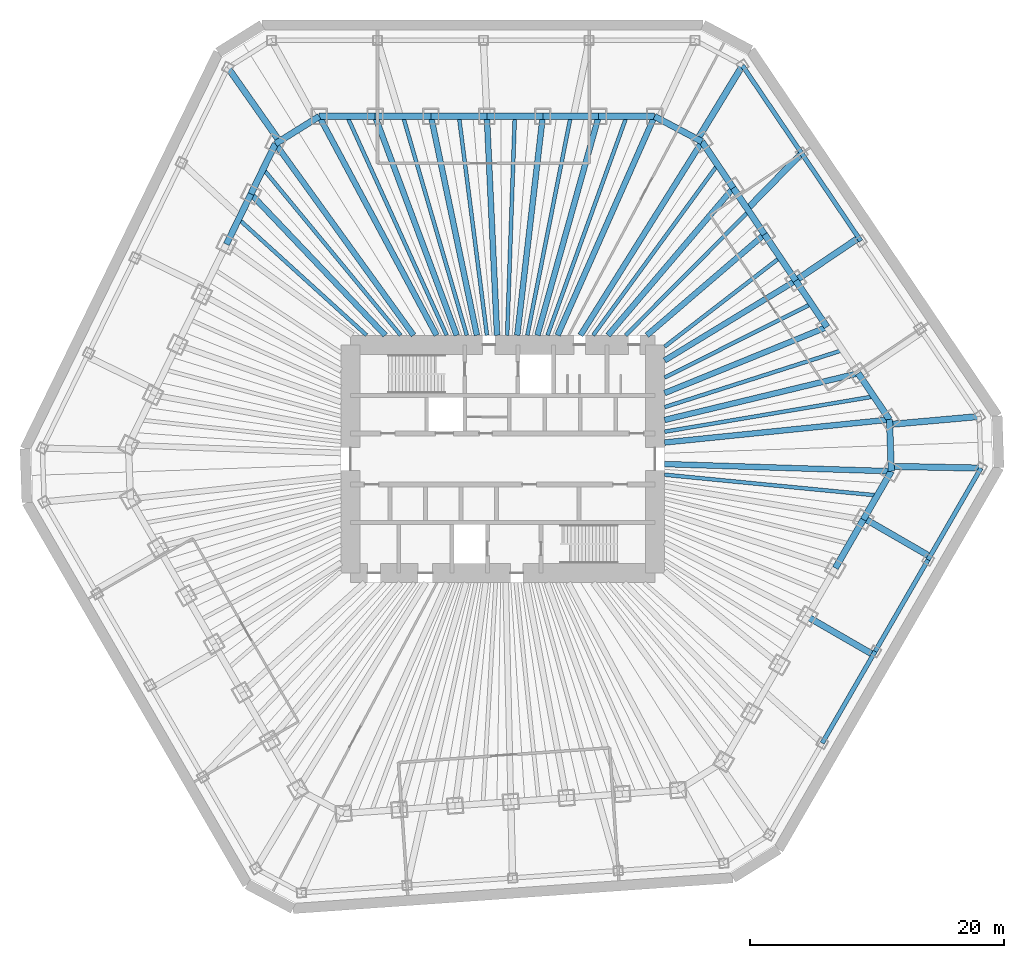
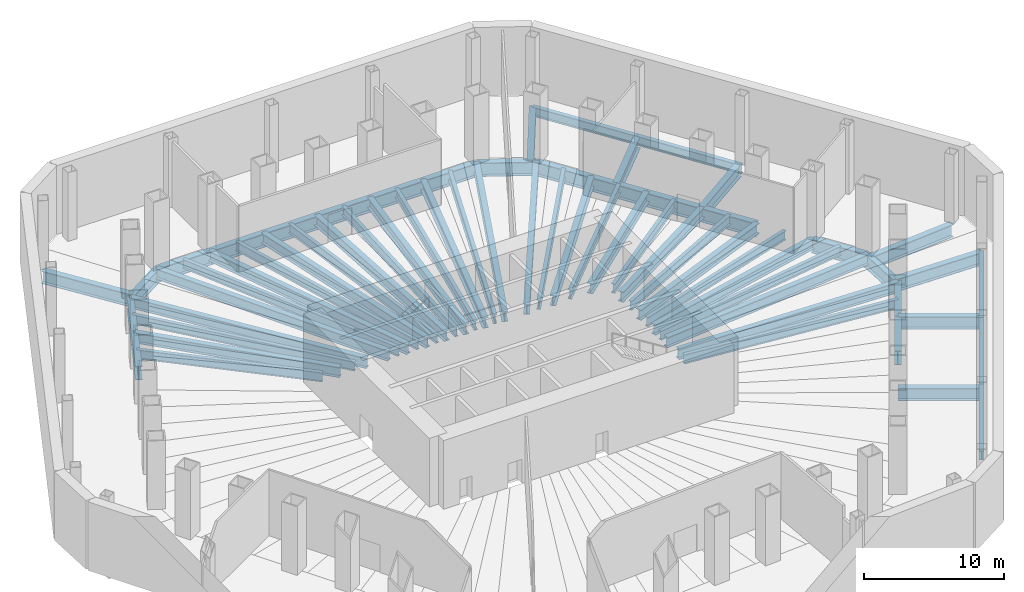
# One storey, part 3 of 8: 63 beams.
"""IFC4 building model written with IfcOpenShell, lengths in metres."""

from ifc_helpers import new_model, si_unit, direction, frame, origin, origin_2d, place, context, subcontext, project, spatial, i_section, extrude, material, material_profile, profile_set, type_object, element, save


model = new_model("IFC4")

# Units and contexts
model_context = context("Model", 3, precision=1e-05, world=origin(), true_north=direction((0.0, 1.0)))
body_context = subcontext(model_context, "Body", "Model", "MODEL_VIEW")
ifc_project = project(units=[si_unit("LENGTHUNIT", "METRE"), si_unit("AREAUNIT", "SQUARE_METRE"), si_unit("VOLUMEUNIT", "CUBIC_METRE"), si_unit("PLANEANGLEUNIT", "RADIAN"), si_unit("MASSUNIT", "GRAM", prefix="KILO")], contexts=[model_context])

# Site, building, storey
site_placement = place(None, origin())
site = spatial("IfcSite", under=ifc_project, at=site_placement, CompositionType="ELEMENT")
building_placement = place(site_placement, origin())
building = spatial("IfcBuilding", under=site, at=building_placement, Name="Qingtian Harvest Tower", CompositionType="ELEMENT")
storey_placement = place(building_placement, frame((0.0, 0.0, -6.0)))
storey = spatial("IfcBuildingStorey", under=building, at=storey_placement, Name="B1", CompositionType="ELEMENT", Elevation=-6.0)

# Beams
ifc_material_1 = material(Name="Steel SM570MC", Category="steel")
ifc_material_profile_1 = material_profile(ifc_material_1, i_section(OverallWidth=0.449951171875, OverallDepth=0.89990234375, WebThickness=0.02197265625, FlangeThickness=0.044921875, at=origin_2d()), Name="H900x450x22x45")
ifc_profile_set_1 = profile_set([ifc_material_profile_1], Name="Steel SM570MC")
beam_type_1 = type_object("IfcBeamType", Name="Floor beam FB5 H900x450x22x45", PredefinedType="BEAM", material=ifc_profile_set_1)
beam_1_placement = place(storey_placement, frame((-14.471435546875, 27.0, -0.699951171875), z_axis=(0.472401408299, -0.881383520062, 0.0), x_axis=(0.881383520062, 0.472401408299, 0.0)))
element("IfcBeam", 1, at=beam_1_placement, inside=storey, type_object=beam_type_1, Name="Floor beam FB5 N0", PredefinedType="BEAM", context=body_context, shape_type="SweptSolid", body=[
    extrude(i_section(OverallWidth=0.449951171875, OverallDepth=0.89990234375, WebThickness=0.02197265625, FlangeThickness=0.044921875, at=origin_2d()), origin(), (0.0, 0.0, 1.0), 19.571533203125),
])
beam_2_placement = place(storey_placement, frame((-10.06689453125, 27.0, -0.699951171875), z_axis=(0.349355612113, -0.936990211414, 0.0), x_axis=(0.936990211414, 0.349355612113, 0.0)))
element("IfcBeam", 2, at=beam_2_placement, inside=storey, type_object=beam_type_1, Name="Floor beam FB5 N1", PredefinedType="BEAM", context=body_context, shape_type="SweptSolid", body=[
    extrude(i_section(OverallWidth=0.449951171875, OverallDepth=0.89990234375, WebThickness=0.02197265625, FlangeThickness=0.044921875, at=origin_2d()), origin(), (0.0, 0.0, 1.0), 18.409912109375),
])
beam_3_placement = place(storey_placement, frame((-5.662353515625, 27.0, -0.699951171875), z_axis=(0.205255077335, -0.978708512903, 0.0), x_axis=(0.978708512903, 0.205255077335, 0.0)))
element("IfcBeam", 3, at=beam_3_placement, inside=storey, type_object=beam_type_1, Name="Floor beam FB5 N2", PredefinedType="BEAM", context=body_context, shape_type="SweptSolid", body=[
    extrude(i_section(OverallWidth=0.449951171875, OverallDepth=0.89990234375, WebThickness=0.02197265625, FlangeThickness=0.044921875, at=origin_2d()), origin(), (0.0, 0.0, 1.0), 17.625244140625),
])
beam_4_placement = place(storey_placement, frame((-1.257568359375, 27.0, -0.699951171875), z_axis=(0.046527342366, -0.99891701678, 0.0), x_axis=(0.99891701678, 0.046527342366, 0.0)))
element("IfcBeam", 4, at=beam_4_placement, inside=storey, type_object=beam_type_1, Name="Floor beam FB5 N3", PredefinedType="BEAM", context=body_context, shape_type="SweptSolid", body=[
    extrude(i_section(OverallWidth=0.449951171875, OverallDepth=0.89990234375, WebThickness=0.02197265625, FlangeThickness=0.044921875, at=origin_2d()), origin(), (0.0, 0.0, 1.0), 17.268798828125),
])
beam_5_placement = place(storey_placement, frame((3.14697265625, 27.0, -0.699951171875), z_axis=(-0.115766971807, -0.993276400726, 0.0), x_axis=(0.993276400726, -0.115766971807, 0.0)))
element("IfcBeam", 5, at=beam_5_placement, inside=storey, type_object=beam_type_1, Name="Floor beam FB5 N4", PredefinedType="BEAM", context=body_context, shape_type="SweptSolid", body=[
    extrude(i_section(OverallWidth=0.449951171875, OverallDepth=0.89990234375, WebThickness=0.02197265625, FlangeThickness=0.044921875, at=origin_2d()), origin(), (0.0, 0.0, 1.0), 17.36669921875),
])
beam_6_placement = place(storey_placement, frame((7.551513671875, 27.0, -0.699951171875), z_axis=(-0.269343258019, -0.963044240604, 0.0), x_axis=(0.963044240604, -0.269343258019, 0.0)))
element("IfcBeam", 6, at=beam_6_placement, inside=storey, type_object=beam_type_1, Name="Floor beam FB5 N5", PredefinedType="BEAM", context=body_context, shape_type="SweptSolid", body=[
    extrude(i_section(OverallWidth=0.449951171875, OverallDepth=0.89990234375, WebThickness=0.02197265625, FlangeThickness=0.044921875, at=origin_2d()), origin(), (0.0, 0.0, 1.0), 17.911865234375),
])
beam_7_placement = place(storey_placement, frame((11.9560546875, 27.0, -0.699951171875), z_axis=(-0.404898955654, -0.914361436036, 0.0), x_axis=(0.914361436036, -0.404898955654, 0.0)))
element("IfcBeam", 7, at=beam_7_placement, inside=storey, type_object=beam_type_1, Name="Floor beam FB5 N6", PredefinedType="BEAM", context=body_context, shape_type="SweptSolid", body=[
    extrude(i_section(OverallWidth=0.449951171875, OverallDepth=0.89990234375, WebThickness=0.02197265625, FlangeThickness=0.044921875, at=origin_2d()), origin(), (0.0, 0.0, 1.0), 18.86572265625),
])
beam_8_placement = place(storey_placement, frame((15.6982421875, 25.01025390625, -0.699951171875), z_axis=(-0.531622796942, -0.846981228701, 0.0), x_axis=(0.846981228701, -0.531622796942, 0.0)))
element("IfcBeam", 8, at=beam_8_placement, inside=storey, type_object=beam_type_1, Name="Floor beam FB5 NE0", PredefinedType="BEAM", context=body_context, shape_type="SweptSolid", body=[
    extrude(i_section(OverallWidth=0.449951171875, OverallDepth=0.89990234375, WebThickness=0.02197265625, FlangeThickness=0.044921875, at=origin_2d()), origin(), (0.0, 0.0, 1.0), 18.017333984375),
])
beam_9_placement = place(storey_placement, frame((18.1611328125, 21.358642578125, -0.699951171875), z_axis=(-0.647781887327, -0.761825850474, 0.0), x_axis=(0.761825850474, -0.647781887327, 0.0)))
element("IfcBeam", 9, at=beam_9_placement, inside=storey, type_object=beam_type_1, Name="Floor beam FB5 NE1", PredefinedType="BEAM", context=body_context, shape_type="SweptSolid", body=[
    extrude(i_section(OverallWidth=0.449951171875, OverallDepth=0.89990234375, WebThickness=0.02197265625, FlangeThickness=0.044921875, at=origin_2d()), origin(), (0.0, 0.0, 1.0), 15.238037109375),
])
beam_10_placement = place(storey_placement, frame((20.624267578125, 17.70703125, -0.699951171875), z_axis=(-0.75873153072, -0.651403457384, 0.0), x_axis=(0.651403457384, -0.75873153072, 0.0)))
element("IfcBeam", 10, at=beam_10_placement, inside=storey, type_object=beam_type_1, Name="Floor beam FB5 NE2", PredefinedType="BEAM", context=body_context, shape_type="SweptSolid", body=[
    extrude(i_section(OverallWidth=0.449951171875, OverallDepth=0.89990234375, WebThickness=0.02197265625, FlangeThickness=0.044921875, at=origin_2d()), origin(), (0.0, 0.0, 1.0), 12.21533203125),
])
beam_11_placement = place(storey_placement, frame((23.08740234375, 14.0556640625, -0.699951171875), z_axis=(-0.854157261259, -0.520014781558, 0.0), x_axis=(0.520014781558, -0.854157261259, 0.0)))
element("IfcBeam", 11, at=beam_11_placement, inside=storey, type_object=beam_type_1, Name="Floor beam FB5 NE3", PredefinedType="BEAM", context=body_context, shape_type="SweptSolid", body=[
    extrude(i_section(OverallWidth=0.449951171875, OverallDepth=0.89990234375, WebThickness=0.02197265625, FlangeThickness=0.044921875, at=origin_2d()), origin(), (0.0, 0.0, 1.0), 12.1025390625),
])
beam_12_placement = place(storey_placement, frame((25.55029296875, 10.404052734375, -0.699951171875), z_axis=(-0.926156354735, -0.37713977062, 0.0), x_axis=(0.37713977062, -0.926156354735, 0.0)))
element("IfcBeam", 12, at=beam_12_placement, inside=storey, type_object=beam_type_1, Name="Floor beam FB5 NE4", PredefinedType="BEAM", context=body_context, shape_type="SweptSolid", body=[
    extrude(i_section(OverallWidth=0.449951171875, OverallDepth=0.89990234375, WebThickness=0.02197265625, FlangeThickness=0.044921875, at=origin_2d()), origin(), (0.0, 0.0, 1.0), 13.82080078125),
])
beam_13_placement = place(storey_placement, frame((28.013427734375, 6.75244140625, -0.699951171875), z_axis=(-0.972155908389, -0.234334994792, 0.0), x_axis=(0.234334994792, -0.972155908389, 0.0)))
element("IfcBeam", 13, at=beam_13_placement, inside=storey, type_object=beam_type_1, Name="Floor beam FB5 NE5", PredefinedType="BEAM", context=body_context, shape_type="SweptSolid", body=[
    extrude(i_section(OverallWidth=0.449951171875, OverallDepth=0.89990234375, WebThickness=0.02197265625, FlangeThickness=0.044921875, at=origin_2d()), origin(), (0.0, 0.0, 1.0), 15.70068359375),
])
beam_14_placement = place(storey_placement, frame((30.476318359375, 3.100830078125, -0.699951171875), z_axis=(-0.994864371567, -0.101217005423, 0.0), x_axis=(0.101217005423, -0.994864371567, 0.0)))
element("IfcBeam", 14, at=beam_14_placement, inside=storey, type_object=beam_type_1, Name="Floor beam FB5 NE6", PredefinedType="BEAM", context=body_context, shape_type="SweptSolid", body=[
    extrude(i_section(OverallWidth=0.449951171875, OverallDepth=0.89990234375, WebThickness=0.02197265625, FlangeThickness=0.044921875, at=origin_2d()), origin(), (0.0, 0.0, 1.0), 17.81787109375),
])
beam_15_placement = place(storey_placement, frame((30.618408203125, -0.96728515625, -0.699951171875), z_axis=(-0.999501426546, 0.031573696842, 0.0), x_axis=(-0.031573696842, -0.999501426546, 0.0)))
element("IfcBeam", 15, at=beam_15_placement, inside=storey, type_object=beam_type_1, Name="Floor beam FB5 SE0", PredefinedType="BEAM", context=body_context, shape_type="SweptSolid", body=[
    extrude(i_section(OverallWidth=0.449951171875, OverallDepth=0.89990234375, WebThickness=0.02197265625, FlangeThickness=0.044921875, at=origin_2d()), origin(), (0.0, 0.0, 1.0), 17.87744140625),
])
beam_16_placement = place(storey_placement, frame((-19.8544921875, 20.884033203125, -0.699951171875), z_axis=(0.689018801535, -0.724743465739, 0.0), x_axis=(0.724743465739, 0.689018801535, 0.0)))
element("IfcBeam", 16, at=beam_16_placement, inside=storey, type_object=beam_type_1, Name="Floor beam FB5 NW5", PredefinedType="BEAM", context=body_context, shape_type="SweptSolid", body=[
    extrude(i_section(OverallWidth=0.449951171875, OverallDepth=0.89990234375, WebThickness=0.02197265625, FlangeThickness=0.044921875, at=origin_2d()), origin(), (0.0, 0.0, 1.0), 15.36279296875),
])
beam_17_placement = place(storey_placement, frame((-17.923583984375, 24.8427734375, -0.699951171875), z_axis=(0.585095822328, -0.810964166098, 0.0), x_axis=(0.810964166098, 0.585095822328, 0.0)))
element("IfcBeam", 17, at=beam_17_placement, inside=storey, type_object=beam_type_1, Name="Floor beam FB5 NW6", PredefinedType="BEAM", context=body_context, shape_type="SweptSolid", body=[
    extrude(i_section(OverallWidth=0.449951171875, OverallDepth=0.89990234375, WebThickness=0.02197265625, FlangeThickness=0.044921875, at=origin_2d()), origin(), (0.0, 0.0, 1.0), 18.61083984375),
])
ifc_material_2 = material(Name="Steel SM570MC", Category="steel")
ifc_material_profile_2 = material_profile(ifc_material_2, i_section(OverallWidth=0.5, OverallDepth=1.10009765625, WebThickness=0.02490234375, FlangeThickness=0.050048828125, at=origin_2d()), Name="H1100x500x25x50")
ifc_profile_set_2 = profile_set([ifc_material_profile_2], Name="Steel SM570MC")
beam_type_2 = type_object("IfcBeamType", Name="Floor beam FB6 H1100x500x25x50", PredefinedType="BEAM", material=ifc_profile_set_2)
beam_18_placement = place(storey_placement, frame((18.888427734375, 31.01025390625, -0.800048828125), z_axis=(-0.52020179562, -0.854043378192, 0.0), x_axis=(0.854043378192, -0.52020179562, 0.0)))
element("IfcBeam", 18, at=beam_18_placement, inside=storey, type_object=beam_type_2, Name="Podium floor beam FB6 NE0", PredefinedType="BEAM", context=body_context, shape_type="SweptSolid", body=[
    extrude(i_section(OverallWidth=0.5, OverallDepth=1.10009765625, WebThickness=0.02490234375, FlangeThickness=0.050048828125, at=origin_2d()), origin(), (0.0, 0.0, 1.0), 6.806884765625),
])
beam_19_placement = place(storey_placement, frame((23.55322265625, 24.0947265625, -0.800048828125), z_axis=(-0.699031153274, -0.715091215686, 0.0), x_axis=(0.715091215686, -0.699031153274, 0.0)))
element("IfcBeam", 19, at=beam_19_placement, inside=storey, type_object=beam_type_2, Name="Podium floor beam FB6 NE1", PredefinedType="BEAM", context=body_context, shape_type="SweptSolid", body=[
    extrude(i_section(OverallWidth=0.5, OverallDepth=1.10009765625, WebThickness=0.02490234375, FlangeThickness=0.050048828125, at=origin_2d()), origin(), (0.0, 0.0, 1.0), 6.126220703125),
])
beam_20_placement = place(storey_placement, frame((28.050048828125, 17.427734375, -0.800048828125), z_axis=(-0.829026943096, -0.559208661969, 0.0), x_axis=(0.559208661969, -0.829026943096, 0.0)))
element("IfcBeam", 20, at=beam_20_placement, inside=storey, type_object=beam_type_2, Name="Podium floor beam FB6 NE2", PredefinedType="BEAM", context=body_context, shape_type="SweptSolid", body=[
    extrude(i_section(OverallWidth=0.5, OverallDepth=1.10009765625, WebThickness=0.02490234375, FlangeThickness=0.050048828125, at=origin_2d()), origin(), (0.0, 0.0, 1.0), 6.0),
])
for number, where, z_axis, x_axis, name in (
    (21, (37.547119140625, 3.34765625, -0.800048828125), (-0.996049850269, -0.088795809463, 0.0), (0.088795809463, -0.996049850269, 0.0), "Podium floor beam FB6 NE4"),
    (22, (37.689208984375, -0.720458984375, -0.800048828125), (-0.999817134486, 0.019123221203, 0.0), (-0.019123221203, -0.999817134486, 0.0), "Podium floor beam FB6 SE0"),
):
    element("IfcBeam", number, at=place(storey_placement, frame(where, z_axis=z_axis, x_axis=x_axis)), inside=storey, type_object=beam_type_2, Name=name, PredefinedType="BEAM", context=body_context, shape_type="SweptSolid", body=[
        extrude(i_section(OverallWidth=0.5, OverallDepth=1.10009765625, WebThickness=0.02490234375, FlangeThickness=0.050048828125, at=origin_2d()), origin(), (0.0, 0.0, 1.0), 7.08544921875),
    ])
for number, where, z_axis, x_axis, name in (
    (23, (33.668212890625, -7.684814453125, -0.800048828125), (-0.866020924479, 0.500007758305, 0.0), (-0.500007758305, -0.866020924479, 0.0), "Podium floor beam FB6 SE1"),
    (24, (29.197509765625, -15.4287109375, -0.800048828125), (-0.866031096941, 0.499990139034, 0.0), (-0.499990139034, -0.866031096941, 0.0), "Podium floor beam FB6 SE2"),
):
    element("IfcBeam", number, at=place(storey_placement, frame(where, z_axis=z_axis, x_axis=x_axis)), inside=storey, type_object=beam_type_2, Name=name, PredefinedType="BEAM", context=body_context, shape_type="SweptSolid", body=[
        extrude(i_section(OverallWidth=0.5, OverallDepth=1.10009765625, WebThickness=0.02490234375, FlangeThickness=0.050048828125, at=origin_2d()), origin(), (0.0, 0.0, 1.0), 6.0),
    ])
beam_21_placement = place(storey_placement, frame((-21.6728515625, 30.8427734375, -0.800048828125), z_axis=(0.574952997863, -0.818186439785, 0.0), x_axis=(0.818186439785, 0.574952997863, 0.0)))
element("IfcBeam", 25, at=beam_21_placement, inside=storey, type_object=beam_type_2, Name="Podium floor beam FB6 NW4", PredefinedType="BEAM", context=body_context, shape_type="SweptSolid", body=[
    extrude(i_section(OverallWidth=0.5, OverallDepth=1.10009765625, WebThickness=0.02490234375, FlangeThickness=0.050048828125, at=origin_2d()), origin(), (0.0, 0.0, 1.0), 7.08544921875),
])
ifc_material_3 = material(Name="Steel SN490B", Category="steel")
ifc_material_profile_3 = material_profile(ifc_material_3, i_section(OverallWidth=0.300048828125, OverallDepth=0.800048828125, WebThickness=0.013916015625, FlangeThickness=0.02587890625, at=origin_2d()), Name="H800x300x14x26")
ifc_profile_set_3 = profile_set([ifc_material_profile_3], Name="Steel SN490B")
beam_type_3 = type_object("IfcBeamType", Name="Floor joist J1 H800x300x14x26", PredefinedType="JOIST", material=ifc_profile_set_3)
beam_22_placement = place(storey_placement, frame((-12.269287109375, 27.0, -0.64990234375), z_axis=(0.413713629402, -0.910407069858, 0.0), x_axis=(0.910407069858, 0.413713629402, 0.0)))
element("IfcBeam", 26, at=beam_22_placement, inside=storey, type_object=beam_type_3, Name="Floor joist J1 N0", PredefinedType="JOIST", context=body_context, shape_type="SweptSolid", body=[
    extrude(i_section(OverallWidth=0.300048828125, OverallDepth=0.800048828125, WebThickness=0.013916015625, FlangeThickness=0.02587890625, at=origin_2d()), origin(), (0.0, 0.0, 1.0), 18.947509765625),
])
beam_23_placement = place(storey_placement, frame((-7.864501953125, 27.0, -0.64990234375), z_axis=(0.279649335299, -0.960102207719, 0.0), x_axis=(0.960102207719, 0.279649335299, 0.0)))
element("IfcBeam", 27, at=beam_23_placement, inside=storey, type_object=beam_type_3, Name="Floor joist J1 N1", PredefinedType="JOIST", context=body_context, shape_type="SweptSolid", body=[
    extrude(i_section(OverallWidth=0.300048828125, OverallDepth=0.800048828125, WebThickness=0.013916015625, FlangeThickness=0.02587890625, at=origin_2d()), origin(), (0.0, 0.0, 1.0), 17.966796875),
])
beam_24_placement = place(storey_placement, frame((-3.4599609375, 27.0, -0.64990234375), z_axis=(0.127102696173, -0.991889562716, 0.0), x_axis=(0.991889562716, 0.127102696173, 0.0)))
element("IfcBeam", 28, at=beam_24_placement, inside=storey, type_object=beam_type_3, Name="Floor joist J1 N2", PredefinedType="JOIST", context=body_context, shape_type="SweptSolid", body=[
    extrude(i_section(OverallWidth=0.300048828125, OverallDepth=0.800048828125, WebThickness=0.013916015625, FlangeThickness=0.02587890625, at=origin_2d()), origin(), (0.0, 0.0, 1.0), 17.39111328125),
])
beam_25_placement = place(storey_placement, frame((0.944580078125, 27.0, -0.64990234375), z_axis=(-0.034965020137, -0.99938853674, 0.0), x_axis=(0.99938853674, -0.034965020137, 0.0)))
element("IfcBeam", 29, at=beam_25_placement, inside=storey, type_object=beam_type_3, Name="Floor joist J1 N3", PredefinedType="JOIST", context=body_context, shape_type="SweptSolid", body=[
    extrude(i_section(OverallWidth=0.300048828125, OverallDepth=0.800048828125, WebThickness=0.013916015625, FlangeThickness=0.02587890625, at=origin_2d()), origin(), (0.0, 0.0, 1.0), 17.260498046875),
])
beam_26_placement = place(storey_placement, frame((5.349365234375, 27.0, -0.64990234375), z_axis=(-0.19435104803, -0.980932041545, 0.0), x_axis=(0.980932041545, -0.19435104803, 0.0)))
element("IfcBeam", 30, at=beam_26_placement, inside=storey, type_object=beam_type_3, Name="Floor joist J1 N4", PredefinedType="JOIST", context=body_context, shape_type="SweptSolid", body=[
    extrude(i_section(OverallWidth=0.300048828125, OverallDepth=0.800048828125, WebThickness=0.013916015625, FlangeThickness=0.02587890625, at=origin_2d()), origin(), (0.0, 0.0, 1.0), 17.585205078125),
])
beam_27_placement = place(storey_placement, frame((9.75390625, 27.0, -0.64990234375), z_axis=(-0.339766141765, -0.940509951521, 0.0), x_axis=(0.940509951521, -0.339766141765, 0.0)))
element("IfcBeam", 31, at=beam_27_placement, inside=storey, type_object=beam_type_3, Name="Floor joist J1 N5", PredefinedType="JOIST", context=body_context, shape_type="SweptSolid", body=[
    extrude(i_section(OverallWidth=0.300048828125, OverallDepth=0.800048828125, WebThickness=0.013916015625, FlangeThickness=0.02587890625, at=origin_2d()), origin(), (0.0, 0.0, 1.0), 18.341064453125),
])
beam_28_placement = place(storey_placement, frame((16.9296875, 23.1845703125, -0.64990234375), z_axis=(-0.589722175422, -0.80760618857, 0.0), x_axis=(0.80760618857, -0.589722175422, 0.0)))
element("IfcBeam", 32, at=beam_28_placement, inside=storey, type_object=beam_type_3, Name="Floor joist J1 NE0", PredefinedType="JOIST", context=body_context, shape_type="SweptSolid", body=[
    extrude(i_section(OverallWidth=0.300048828125, OverallDepth=0.800048828125, WebThickness=0.013916015625, FlangeThickness=0.02587890625, at=origin_2d()), origin(), (0.0, 0.0, 1.0), 16.635009765625),
])
beam_29_placement = place(storey_placement, frame((19.392822265625, 19.532958984375, -0.64990234375), z_axis=(-0.704560879039, -0.709643549768, 0.0), x_axis=(0.709643549768, -0.704560879039, 0.0)))
element("IfcBeam", 33, at=beam_29_placement, inside=storey, type_object=beam_type_3, Name="Floor joist J1 NE1", PredefinedType="JOIST", context=body_context, shape_type="SweptSolid", body=[
    extrude(i_section(OverallWidth=0.300048828125, OverallDepth=0.800048828125, WebThickness=0.013916015625, FlangeThickness=0.02587890625, at=origin_2d()), origin(), (0.0, 0.0, 1.0), 13.78564453125),
])
beam_30_placement = place(storey_placement, frame((21.855712890625, 15.88134765625, -0.64990234375), z_axis=(-0.79149450594, -0.611176281499, 0.0), x_axis=(0.611176281499, -0.79149450594, 0.0)))
element("IfcBeam", 34, at=beam_30_placement, inside=storey, type_object=beam_type_3, Name="Floor joist J1 NE2", PredefinedType="JOIST", context=body_context, shape_type="SweptSolid", body=[
    extrude(i_section(OverallWidth=0.300048828125, OverallDepth=0.800048828125, WebThickness=0.013916015625, FlangeThickness=0.02587890625, at=origin_2d()), origin(), (0.0, 0.0, 1.0), 11.50439453125),
])
beam_31_placement = place(storey_placement, frame((24.31884765625, 12.229736328125, -0.64990234375), z_axis=(-0.893391632689, -0.449278744924, 0.0), x_axis=(0.449278744924, -0.893391632689, 0.0)))
element("IfcBeam", 35, at=beam_31_placement, inside=storey, type_object=beam_type_3, Name="Floor joist J1 NE3", PredefinedType="JOIST", context=body_context, shape_type="SweptSolid", body=[
    extrude(i_section(OverallWidth=0.300048828125, OverallDepth=0.800048828125, WebThickness=0.013916015625, FlangeThickness=0.02587890625, at=origin_2d()), origin(), (0.0, 0.0, 1.0), 12.949462890625),
])
beam_32_placement = place(storey_placement, frame((26.78173828125, 8.578125, -0.64990234375), z_axis=(-0.952340804978, -0.305036048976, 0.0), x_axis=(0.305036048976, -0.952340804978, 0.0)))
element("IfcBeam", 36, at=beam_32_placement, inside=storey, type_object=beam_type_3, Name="Floor joist J1 NE4", PredefinedType="JOIST", context=body_context, shape_type="SweptSolid", body=[
    extrude(i_section(OverallWidth=0.300048828125, OverallDepth=0.800048828125, WebThickness=0.013916015625, FlangeThickness=0.02587890625, at=origin_2d()), origin(), (0.0, 0.0, 1.0), 14.73388671875),
])
beam_33_placement = place(storey_placement, frame((29.244873046875, 4.926513671875, -0.64990234375), z_axis=(-0.986107238024, -0.166109948877, 0.0), x_axis=(0.166109948877, -0.986107238024, 0.0)))
element("IfcBeam", 37, at=beam_33_placement, inside=storey, type_object=beam_type_3, Name="Floor joist J1 NE5", PredefinedType="JOIST", context=body_context, shape_type="SweptSolid", body=[
    extrude(i_section(OverallWidth=0.300048828125, OverallDepth=0.800048828125, WebThickness=0.013916015625, FlangeThickness=0.02587890625, at=origin_2d()), origin(), (0.0, 0.0, 1.0), 16.727294921875),
])
beam_34_placement = place(storey_placement, frame((29.517333984375, -2.87451171875, -0.64990234375), z_axis=(-0.995291970786, 0.096922097011, 0.0), x_axis=(-0.096922097011, -0.995291970786, 0.0)))
element("IfcBeam", 38, at=beam_34_placement, inside=storey, type_object=beam_type_3, Name="Floor joist J1 SE0", PredefinedType="JOIST", context=body_context, shape_type="SweptSolid", body=[
    extrude(i_section(OverallWidth=0.300048828125, OverallDepth=0.800048828125, WebThickness=0.013916015625, FlangeThickness=0.02587890625, at=origin_2d()), origin(), (0.0, 0.0, 1.0), 16.8466796875),
])
beam_35_placement = place(storey_placement, frame((-20.81982421875, 18.904541015625, -0.64990234375), z_axis=(0.740339866926, -0.672232758381, 0.0), x_axis=(0.672232758381, 0.740339866926, 0.0)))
element("IfcBeam", 39, at=beam_35_placement, inside=storey, type_object=beam_type_3, Name="Floor joist J1 NW4", PredefinedType="JOIST", context=body_context, shape_type="SweptSolid", body=[
    extrude(i_section(OverallWidth=0.300048828125, OverallDepth=0.800048828125, WebThickness=0.013916015625, FlangeThickness=0.02587890625, at=origin_2d()), origin(), (0.0, 0.0, 1.0), 13.6181640625),
])
beam_36_placement = place(storey_placement, frame((-18.888916015625, 22.863525390625, -0.64990234375), z_axis=(0.636910378144, -0.77093785107, 0.0), x_axis=(0.77093785107, 0.636910378144, 0.0)))
element("IfcBeam", 40, at=beam_36_placement, inside=storey, type_object=beam_type_3, Name="Floor joist J1 NW5", PredefinedType="JOIST", context=body_context, shape_type="SweptSolid", body=[
    extrude(i_section(OverallWidth=0.300048828125, OverallDepth=0.800048828125, WebThickness=0.013916015625, FlangeThickness=0.02587890625, at=origin_2d()), origin(), (0.0, 0.0, 1.0), 17.009765625),
])
ifc_material_4 = material(Name="Steel SN490B", Category="steel")
ifc_material_profile_4 = material_profile(ifc_material_4, i_section(OverallWidth=0.35009765625, OverallDepth=0.800048828125, WebThickness=0.01611328125, FlangeThickness=0.028076171875, at=origin_2d()), Name="H800x350x16x28")
ifc_profile_set_4 = profile_set([ifc_material_profile_4], Name="Steel SN490B")
beam_type_4 = type_object("IfcBeamType", Name="Podium beam PB1 H800x350x16x28", PredefinedType="BEAM", material=ifc_profile_set_4)
for number, where, z_axis, x_axis, name in (
    (41, (18.888427734375, 31.01025390625, -0.64990234375), (0.559210439086, -0.829025744363, 0.0), (0.829025744363, 0.559210439086, 0.0), "Podium edge beam PB1 NE0"),
    (42, (23.55322265625, 24.0947265625, -0.64990234375), (0.559176755628, -0.829048464183, 0.0), (0.829048464183, 0.559176755628, 0.0), "Podium edge beam PB1 NE1"),
    (43, (37.689208984375, -0.720458984375, -0.64990234375), (-0.500004511595, -0.866022798998, 0.0), (0.866022798998, -0.500004511595, 0.0), "Podium edge beam PB1 SE0"),
    (44, (33.518310546875, -7.944580078125, -0.64990234375), (-0.500004511595, -0.866022798998, 0.0), (0.866022798998, -0.500004511595, 0.0), "Podium edge beam PB1 SE1"),
):
    element("IfcBeam", number, at=place(storey_placement, frame(where, z_axis=z_axis, x_axis=x_axis)), inside=storey, type_object=beam_type_4, Name=name, PredefinedType="BEAM", context=body_context, shape_type="SweptSolid", body=[
        extrude(i_section(OverallWidth=0.35009765625, OverallDepth=0.800048828125, WebThickness=0.01611328125, FlangeThickness=0.028076171875, at=origin_2d()), origin(), (0.0, 0.0, 1.0), 8.341796875),
    ])
beam_37_placement = place(storey_placement, frame((29.347412109375, -15.168701171875, -0.64990234375), z_axis=(-0.499991838624, -0.866030115706, 0.0), x_axis=(0.866030115706, -0.499991838624, 0.0)))
element("IfcBeam", 45, at=beam_37_placement, inside=storey, type_object=beam_type_4, Name="Podium edge beam PB1 SE2", PredefinedType="BEAM", context=body_context, shape_type="SweptSolid", body=[
    extrude(i_section(OverallWidth=0.35009765625, OverallDepth=0.800048828125, WebThickness=0.01611328125, FlangeThickness=0.028076171875, at=origin_2d()), origin(), (0.0, 0.0, 1.0), 8.342041015625),
])
ifc_material_5 = material(Name="Steel SM570MC", Category="steel")
ifc_material_profile_5 = material_profile(ifc_material_5, i_section(OverallWidth=0.5, OverallDepth=1.199951171875, WebThickness=0.02490234375, FlangeThickness=0.050048828125, at=origin_2d()), Name="H1200x500x25x50")
ifc_profile_set_5 = profile_set([ifc_material_profile_5], Name="Steel SM570MC")
beam_type_5 = type_object("IfcBeamType", Name="Spandrel beam SB1 H1200x500x25x50", PredefinedType="SPANDREL", material=ifc_profile_set_5)
for number, where, z_axis, x_axis, name in (
    (46, (-14.471435546875, 27.0, -0.85009765625), (1.0, 0.0, 0.0), (0.0, 1.0, 0.0), "Spandrel SB1 N0"),
    (47, (-10.06689453125, 27.0, -0.85009765625), (1.0, 0.0, 0.0), (0.0, 1.0, 0.0), "Spandrel SB1 N1"),
):
    element("IfcBeam", number, at=place(storey_placement, frame(where, z_axis=z_axis, x_axis=x_axis)), inside=storey, type_object=beam_type_5, Name=name, PredefinedType="SPANDREL", context=body_context, shape_type="SweptSolid", body=[
        extrude(i_section(OverallWidth=0.5, OverallDepth=1.199951171875, WebThickness=0.02490234375, FlangeThickness=0.050048828125, at=origin_2d()), origin(), (0.0, 0.0, 1.0), 4.404541015625),
    ])
beam_38_placement = place(storey_placement, frame((-5.662353515625, 27.0, -0.85009765625), z_axis=(1.0, 0.0, 0.0), x_axis=(0.0, 1.0, 0.0)))
element("IfcBeam", 48, at=beam_38_placement, inside=storey, type_object=beam_type_5, Name="Spandrel SB1 N2", PredefinedType="SPANDREL", context=body_context, shape_type="SweptSolid", body=[
    extrude(i_section(OverallWidth=0.5, OverallDepth=1.199951171875, WebThickness=0.02490234375, FlangeThickness=0.050048828125, at=origin_2d()), origin(), (0.0, 0.0, 1.0), 4.40478515625),
])
for number, where, z_axis, x_axis, name in (
    (49, (-1.257568359375, 27.0, -0.85009765625), (1.0, 0.0, 0.0), (0.0, 1.0, 0.0), "Spandrel SB1 N3"),
    (50, (3.14697265625, 27.0, -0.85009765625), (1.0, 0.0, 0.0), (0.0, 1.0, 0.0), "Spandrel SB1 N4"),
    (51, (7.551513671875, 27.0, -0.85009765625), (1.0, 0.0, 0.0), (0.0, 1.0, 0.0), "Spandrel SB1 N5"),
):
    element("IfcBeam", number, at=place(storey_placement, frame(where, z_axis=z_axis, x_axis=x_axis)), inside=storey, type_object=beam_type_5, Name=name, PredefinedType="SPANDREL", context=body_context, shape_type="SweptSolid", body=[
        extrude(i_section(OverallWidth=0.5, OverallDepth=1.199951171875, WebThickness=0.02490234375, FlangeThickness=0.050048828125, at=origin_2d()), origin(), (0.0, 0.0, 1.0), 4.404541015625),
    ])
beam_39_placement = place(storey_placement, frame((11.9560546875, 27.0, -0.85009765625), z_axis=(0.882948599748, -0.469469669099, 0.0), x_axis=(0.469469669099, 0.882948599748, 0.0)))
element("IfcBeam", 52, at=beam_39_placement, inside=storey, type_object=beam_type_5, Name="Spandrel SB1 NC", PredefinedType="SPANDREL", context=body_context, shape_type="SweptSolid", body=[
    extrude(i_section(OverallWidth=0.5, OverallDepth=1.199951171875, WebThickness=0.02490234375, FlangeThickness=0.050048828125, at=origin_2d()), origin(), (0.0, 0.0, 1.0), 4.23828125),
])
beam_40_placement = place(storey_placement, frame((15.6982421875, 25.01025390625, -0.85009765625), z_axis=(0.559169135272, -0.829053603912, 0.0), x_axis=(0.829053603912, 0.559169135272, 0.0)))
element("IfcBeam", 53, at=beam_40_placement, inside=storey, type_object=beam_type_5, Name="Spandrel SB1 NE0", PredefinedType="SPANDREL", context=body_context, shape_type="SweptSolid", body=[
    extrude(i_section(OverallWidth=0.5, OverallDepth=1.199951171875, WebThickness=0.02490234375, FlangeThickness=0.050048828125, at=origin_2d()), origin(), (0.0, 0.0, 1.0), 4.404541015625),
])
beam_41_placement = place(storey_placement, frame((18.1611328125, 21.358642578125, -0.85009765625), z_axis=(0.559207231603, -0.829027907928, 0.0), x_axis=(0.829027907928, 0.559207231603, 0.0)))
element("IfcBeam", 54, at=beam_41_placement, inside=storey, type_object=beam_type_5, Name="Spandrel SB1 NE1", PredefinedType="SPANDREL", context=body_context, shape_type="SweptSolid", body=[
    extrude(i_section(OverallWidth=0.5, OverallDepth=1.199951171875, WebThickness=0.02490234375, FlangeThickness=0.050048828125, at=origin_2d()), origin(), (0.0, 0.0, 1.0), 4.40478515625),
])
for number, where, z_axis, x_axis, name in (
    (55, (20.624267578125, 17.70703125, -0.85009765625), (0.559232928578, -0.829010573874, 0.0), (0.829010573874, 0.559232928578, 0.0), "Spandrel SB1 NE2"),
    (56, (23.08740234375, 14.0556640625, -0.85009765625), (0.559169135272, -0.829053603912, 0.0), (0.829053603912, 0.559169135272, 0.0), "Spandrel SB1 NE3"),
    (57, (28.013427734375, 6.75244140625, -0.85009765625), (0.559169135272, -0.829053603912, 0.0), (0.829053603912, 0.559169135272, 0.0), "Spandrel SB1 NE5"),
):
    element("IfcBeam", number, at=place(storey_placement, frame(where, z_axis=z_axis, x_axis=x_axis)), inside=storey, type_object=beam_type_5, Name=name, PredefinedType="SPANDREL", context=body_context, shape_type="SweptSolid", body=[
        extrude(i_section(OverallWidth=0.5, OverallDepth=1.199951171875, WebThickness=0.02490234375, FlangeThickness=0.050048828125, at=origin_2d()), origin(), (0.0, 0.0, 1.0), 4.404541015625),
    ])
beam_42_placement = place(storey_placement, frame((30.476318359375, 3.100830078125, -0.85009765625), z_axis=(0.03490639867, -0.999390585973, 0.0), x_axis=(0.999390585973, 0.03490639867, 0.0)))
element("IfcBeam", 58, at=beam_42_placement, inside=storey, type_object=beam_type_5, Name="Spandrel SB1 NEC", PredefinedType="SPANDREL", context=body_context, shape_type="SweptSolid", body=[
    extrude(i_section(OverallWidth=0.5, OverallDepth=1.199951171875, WebThickness=0.02490234375, FlangeThickness=0.050048828125, at=origin_2d()), origin(), (0.0, 0.0, 1.0), 4.070556640625),
])
beam_43_placement = place(storey_placement, frame((30.618408203125, -0.96728515625, -0.85009765625), z_axis=(-0.50001992892, -0.866013897511, 0.0), x_axis=(0.866013897511, -0.50001992892, 0.0)))
element("IfcBeam", 59, at=beam_43_placement, inside=storey, type_object=beam_type_5, Name="Spandrel SB1 SE0", PredefinedType="SPANDREL", context=body_context, shape_type="SweptSolid", body=[
    extrude(i_section(OverallWidth=0.5, OverallDepth=1.199951171875, WebThickness=0.02490234375, FlangeThickness=0.050048828125, at=origin_2d()), origin(), (0.0, 0.0, 1.0), 4.404541015625),
])
beam_44_placement = place(storey_placement, frame((28.416015625, -4.78173828125, -0.85009765625), z_axis=(-0.499954356739, -0.86605175433, 0.0), x_axis=(0.86605175433, -0.499954356739, 0.0)))
element("IfcBeam", 60, at=beam_44_placement, inside=storey, type_object=beam_type_5, Name="Spandrel SB1 SE1", PredefinedType="SPANDREL", context=body_context, shape_type="SweptSolid", body=[
    extrude(i_section(OverallWidth=0.5, OverallDepth=1.199951171875, WebThickness=0.02490234375, FlangeThickness=0.050048828125, at=origin_2d()), origin(), (0.0, 0.0, 1.0), 4.40478515625),
])
for number, where, z_axis, x_axis, name in (
    (61, (-21.78515625, 16.92529296875, -0.85009765625), (0.438344999367, 0.898806798778, 0.0), (-0.898806798778, 0.438344999367, 0.0), "Spandrel SB1 NW4"),
    (62, (-19.8544921875, 20.884033203125, -0.85009765625), (0.438389777529, 0.898784959241, 0.0), (-0.898784959241, 0.438389777529, 0.0), "Spandrel SB1 NW5"),
):
    element("IfcBeam", number, at=place(storey_placement, frame(where, z_axis=z_axis, x_axis=x_axis)), inside=storey, type_object=beam_type_5, Name=name, PredefinedType="SPANDREL", context=body_context, shape_type="SweptSolid", body=[
        extrude(i_section(OverallWidth=0.5, OverallDepth=1.199951171875, WebThickness=0.02490234375, FlangeThickness=0.050048828125, at=origin_2d()), origin(), (0.0, 0.0, 1.0), 4.404541015625),
    ])
beam_45_placement = place(storey_placement, frame((-17.923583984375, 24.8427734375, -0.85009765625), z_axis=(0.848038733752, 0.529934246919, 0.0), x_axis=(-0.529934246919, 0.848038733752, 0.0)))
element("IfcBeam", 63, at=beam_45_placement, inside=storey, type_object=beam_type_5, Name="Spandrel SB1 NWC", PredefinedType="SPANDREL", context=body_context, shape_type="SweptSolid", body=[
    extrude(i_section(OverallWidth=0.5, OverallDepth=1.199951171875, WebThickness=0.02490234375, FlangeThickness=0.050048828125, at=origin_2d()), origin(), (0.0, 0.0, 1.0), 4.07080078125),
])

save(model, "model.ifc")
